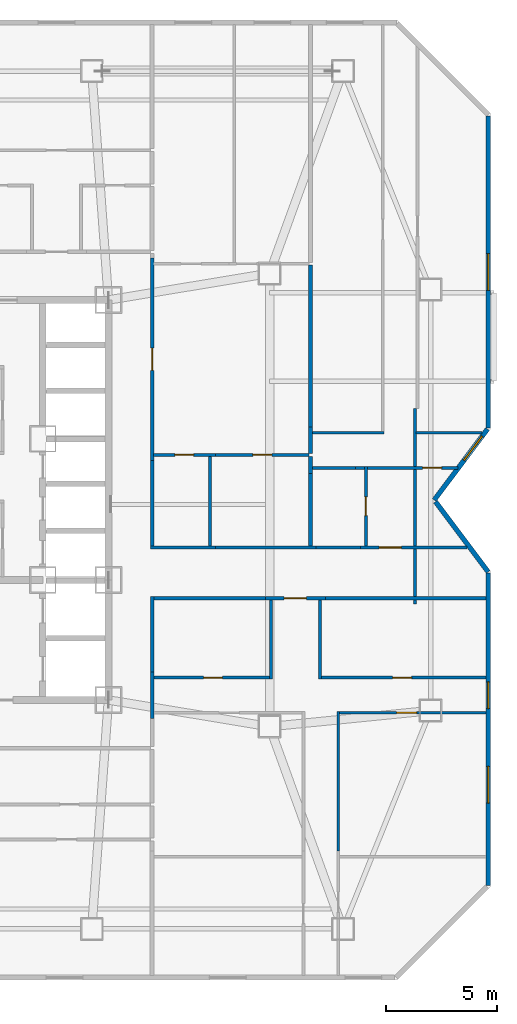
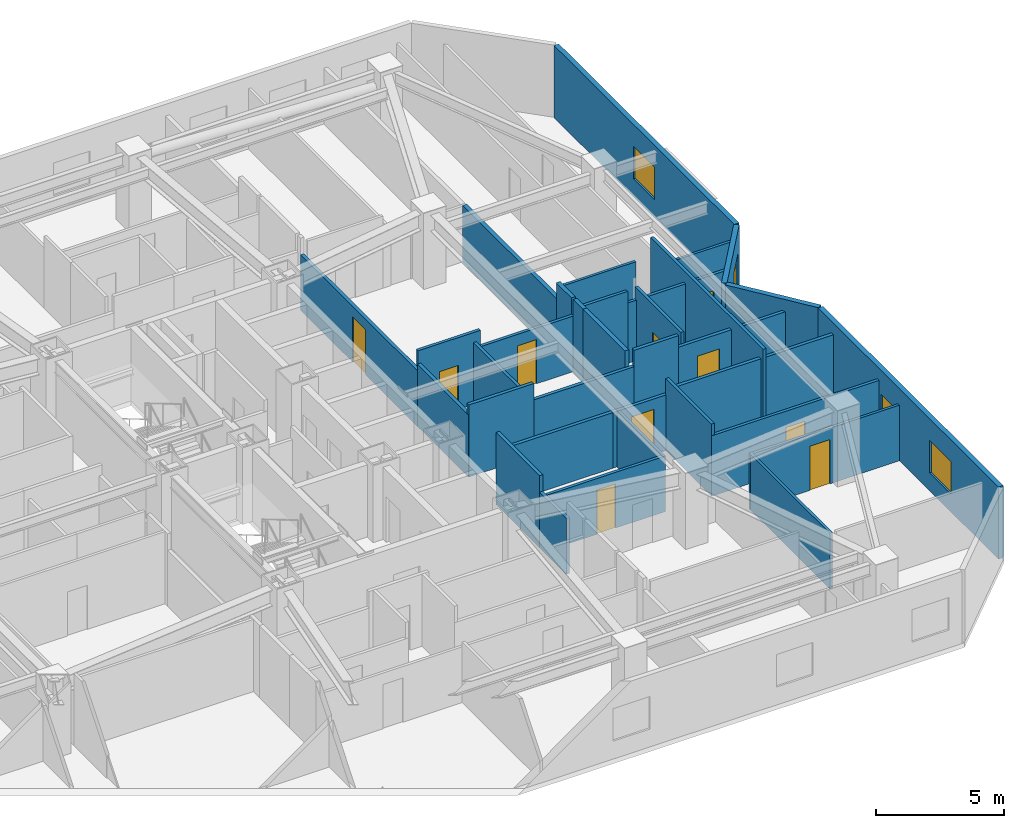
# One storey, part 14 of 17: 34 walls, 10 doors, 4 windows, 14 openings.
"""IFC4 building model written with IfcOpenShell, lengths in metres."""

from ifc_helpers import new_model, si_unit, direction, frame, frame_2d, origin, place, context, subcontext, project, spatial, rectangle, extrude, material, layer, layer_set, type_object, element, fill, save


model = new_model("IFC4")

# Units and contexts
model_context = context("Model", 3, precision=1e-05, world=origin(), true_north=direction((0.0, 1.0)))
body_context = subcontext(model_context, "Body", "Model", "MODEL_VIEW")
ifc_project = project(units=[si_unit("LENGTHUNIT", "METRE"), si_unit("AREAUNIT", "SQUARE_METRE"), si_unit("VOLUMEUNIT", "CUBIC_METRE"), si_unit("PLANEANGLEUNIT", "RADIAN"), si_unit("MASSUNIT", "GRAM", prefix="KILO")], contexts=[model_context])

# Site, building, storey
site_placement = place(None, origin())
site = spatial("IfcSite", under=ifc_project, at=site_placement, CompositionType="ELEMENT")
building_placement = place(site_placement, origin())
building = spatial("IfcBuilding", under=site, at=building_placement, Name="Khamvora Tower", CompositionType="ELEMENT")
storey_placement = place(building_placement, frame((0.0, 0.0, 131.10009765625)))
storey = spatial("IfcBuildingStorey", under=building, at=storey_placement, Name="L33", CompositionType="ELEMENT", Elevation=131.10009765625)

# Wall, opening, door
ifc_material_1 = material(Name="Fire-Rated Drywall and Steel Stud", Category="steel")
ifc_layer_1 = layer(ifc_material_1, 0.14990234375)
ifc_layer_set_1 = layer_set([ifc_layer_1], Name="Fire-Rated Drywall and Steel Stud")
wall_type_1 = type_object("IfcWallType", Name="WAL-CORR-150", PredefinedType="STANDARD", material=ifc_layer_set_1)
wall_1_placement = place(storey_placement, frame((49.158935546875, 23.5849609375, 0.0), z_axis=(0.0, 0.0, 1.0), x_axis=(-1.0, 0.0, 0.0)))
wall_1 = element("IfcWall", 1, at=wall_1_placement, inside=storey, type_object=wall_type_1, Name="L33 interior partition wall 028", PredefinedType="STANDARD", context=body_context, shape_type="SweptSolid", body=[
    extrude(rectangle(XDim=2.697998046875, YDim=0.14990234375, at=frame_2d((1.34912109375, 0.0))), origin(), (0.0, 0.0, 1.0), 2.64697265625),
])
opening_1_placement = place(wall_1_placement, frame((0.84912109375, 0.0, 0.0)))
opening_1 = element("IfcOpeningElement", 2, at=opening_1_placement, cuts=wall_1, Name="Opening D-U1", PredefinedType="OPENING", context=body_context, shape_type="SweptSolid", body=[
    extrude(rectangle(XDim=1.0, YDim=2.14990234375, at=frame_2d((0.5, 1.074951171875))), frame((0.0, 0.0849609375, 0.0), z_axis=(0.0, -1.0, 0.0), x_axis=(1.0, 0.0, 0.0)), (0.0, 0.0, 1.0), 0.169921875),
])
ifc_material_2 = material(Name="Powder-Coated Steel and Hardwood Leaf", Category="steel")
door_type_1 = type_object("IfcDoorType", Name="DOR-UNIT-1000", OperationType="NOTDEFINED", PredefinedType="DOOR", material=ifc_material_2)
door_1_placement = place(opening_1_placement, origin())
door_1 = element("IfcDoor", 3, at=door_1_placement, inside=storey, type_object=door_type_1, Name="L33 interior door COR-33EAH", OperationType="SINGLE_SWING_RIGHT", OverallHeight=2.14990234375, OverallWidth=1.0, PredefinedType="DOOR", context=body_context, shape_type="SweptSolid", body=[
    extrude(rectangle(XDim=1.0, YDim=2.14990234375, at=frame_2d((0.5, 1.074951171875))), frame((0.0, 0.02490234375, 0.0), z_axis=(0.0, -1.0, 0.0), x_axis=(1.0, 0.0, 0.0)), (0.0, 0.0, 1.0), 0.050048828125),
])
fill(opening_1, door_1)

# Walls
wall_2_placement = place(storey_placement, frame((41.364990234375, 20.25390625, 0.0), z_axis=(0.0, 0.0, 1.0), x_axis=(0.0, -1.0, 0.0)))
element("IfcWall", 4, at=wall_2_placement, inside=storey, type_object=wall_type_1, Name="L33 interior partition wall 029", PredefinedType="STANDARD", context=body_context, shape_type="SweptSolid", body=[
    extrude(rectangle(XDim=2.077880859375, YDim=0.14990234375, at=frame_2d((1.0390625, 0.0))), origin(), (0.0, 0.0, 1.0), 2.64697265625),
])
wall_3_placement = place(storey_placement, frame((46.4609375, 23.5849609375, 0.0), z_axis=(0.0, 0.0, 1.0), x_axis=(-1.0, 0.0, 0.0)))
element("IfcWall", 5, at=wall_3_placement, inside=storey, type_object=wall_type_1, Name="L33 interior partition wall 030", PredefinedType="STANDARD", context=body_context, shape_type="SweptSolid", body=[
    extrude(rectangle(XDim=5.160888671875, YDim=0.14990234375, at=frame_2d((2.58056640625, 0.0))), origin(), (0.0, 0.0, 1.0), 2.64697265625),
])
wall_4_placement = place(storey_placement, frame((41.364990234375, 23.64794921875, 0.0), z_axis=(0.0, 0.0, 1.0), x_axis=(0.0, -1.0, 0.0)))
element("IfcWall", 6, at=wall_4_placement, inside=storey, type_object=wall_type_1, Name="L33 interior partition wall 031", PredefinedType="STANDARD", context=body_context, shape_type="SweptSolid", body=[
    extrude(rectangle(XDim=3.39404296875, YDim=0.14990234375, at=frame_2d((1.697021484375, 0.0))), origin(), (0.0, 0.0, 1.0), 3.429931640625),
])
wall_5_placement = place(storey_placement, frame((56.387939453125, 23.5849609375, 0.0), z_axis=(0.0, 0.0, 1.0), x_axis=(-1.0, 0.0, 0.0)))
element("IfcWall", 7, at=wall_5_placement, inside=storey, type_object=wall_type_1, Name="L33 interior partition wall 032", PredefinedType="STANDARD", context=body_context, shape_type="SweptSolid", body=[
    extrude(rectangle(XDim=7.22900390625, YDim=0.14990234375, at=frame_2d((3.614501953125, 0.0))), origin(), (0.0, 0.0, 1.0), 2.8759765625),
])

# Wall, opening, door
wall_6_placement = place(storey_placement, frame((41.364990234375, 38.87890625, 0.0), z_axis=(0.0, 0.0, 1.0), x_axis=(0.0, -1.0, 0.0)))
wall_6 = element("IfcWall", 8, at=wall_6_placement, inside=storey, type_object=wall_type_1, Name="L33 interior partition wall 034", PredefinedType="STANDARD", context=body_context, shape_type="SweptSolid", body=[
    extrude(rectangle(XDim=9.097900390625, YDim=0.14990234375, at=frame_2d((4.548828125, 0.0))), origin(), (0.0, 0.0, 1.0), 2.64697265625),
])
opening_2_placement = place(wall_6_placement, frame((4.049072265625, 0.0, 0.0)))
opening_2 = element("IfcOpeningElement", 9, at=opening_2_placement, cuts=wall_6, Name="Opening D-U1", PredefinedType="OPENING", context=body_context, shape_type="SweptSolid", body=[
    extrude(rectangle(XDim=1.0, YDim=2.14990234375, at=frame_2d((0.5, 1.074951171875))), frame((0.0, 0.0849609375, 0.0), z_axis=(0.0, -1.0, 0.0), x_axis=(1.0, 0.0, 0.0)), (0.0, 0.0, 1.0), 0.169921875),
])
door_2_placement = place(opening_2_placement, origin())
door_2 = element("IfcDoor", 10, at=door_2_placement, inside=storey, type_object=door_type_1, Name="L33 interior door COR-33EBH", OperationType="SINGLE_SWING_LEFT", OverallHeight=2.14990234375, OverallWidth=1.0, PredefinedType="DOOR", context=body_context, shape_type="SweptSolid", body=[
    extrude(rectangle(XDim=1.0, YDim=2.14990234375, at=frame_2d((0.5, 1.074951171875))), frame((0.0, 0.02490234375, 0.0), z_axis=(0.0, -1.0, 0.0), x_axis=(1.0, 0.0, 0.0)), (0.0, 0.0, 1.0), 0.050048828125),
])
fill(opening_2, door_2)

# Walls
wall_7_placement = place(storey_placement, frame((41.364990234375, 29.781005859375, 0.0), z_axis=(0.0, 0.0, 1.0), x_axis=(0.0, -1.0, 0.0)))
element("IfcWall", 11, at=wall_7_placement, inside=storey, type_object=wall_type_1, Name="L33 interior partition wall 035", PredefinedType="STANDARD", context=body_context, shape_type="SweptSolid", body=[
    extrude(rectangle(XDim=3.98095703125, YDim=0.14990234375, at=frame_2d((1.990478515625, 0.0))), origin(), (0.0, 0.0, 1.0), 2.956787109375),
])
wall_8_placement = place(storey_placement, frame((41.300048828125, 25.864990234375, 0.0), z_axis=(0.0, 0.0, 1.0), x_axis=(1.0, 0.0, 0.0)))
element("IfcWall", 12, at=wall_8_placement, inside=storey, type_object=wall_type_1, Name="L33 interior partition wall 036", PredefinedType="STANDARD", context=body_context, shape_type="SweptSolid", body=[
    extrude(rectangle(XDim=2.928955078125, YDim=0.14990234375, at=frame_2d((1.46435546875, 0.0))), origin(), (0.0, 0.0, 1.0), 3.429931640625),
])
wall_9_placement = place(storey_placement, frame((44.22900390625, 25.864990234375, 0.0), z_axis=(0.0, 0.0, 1.0), x_axis=(1.0, 0.0, 0.0)))
element("IfcWall", 13, at=wall_9_placement, inside=storey, type_object=wall_type_1, Name="L33 interior partition wall 037", PredefinedType="STANDARD", context=body_context, shape_type="SweptSolid", body=[
    extrude(rectangle(XDim=4.510009765625, YDim=0.14990234375, at=frame_2d((2.2548828125, 0.0))), origin(), (0.0, 0.0, 1.0), 2.64697265625),
])

# Wall, opening, door
wall_10_placement = place(storey_placement, frame((50.736083984375, 25.864990234375, 0.0), z_axis=(0.0, 0.0, 1.0), x_axis=(1.0, 0.0, 0.0)))
wall_10 = element("IfcWall", 14, at=wall_10_placement, inside=storey, type_object=wall_type_1, Name="L33 interior partition wall 039", PredefinedType="STANDARD", context=body_context, shape_type="SweptSolid", body=[
    extrude(rectangle(XDim=4.7998046875, YDim=0.14990234375, at=frame_2d((2.39990234375, 0.0))), origin(), (0.0, 0.0, 1.0), 2.8759765625),
])
opening_3_placement = place(wall_10_placement, frame((0.84912109375, 0.0, 0.0)))
opening_3 = element("IfcOpeningElement", 15, at=opening_3_placement, cuts=wall_10, Name="Opening D-U1", PredefinedType="OPENING", context=body_context, shape_type="SweptSolid", body=[
    extrude(rectangle(XDim=1.0, YDim=2.14990234375, at=frame_2d((0.5, 1.074951171875))), frame((0.0, 0.0849609375, 0.0), z_axis=(0.0, -1.0, 0.0), x_axis=(1.0, 0.0, 0.0)), (0.0, 0.0, 1.0), 0.169921875),
])
door_3_placement = place(opening_3_placement, origin())
door_3 = element("IfcDoor", 16, at=door_3_placement, inside=storey, type_object=door_type_1, Name="L33 interior door COR-33ECH", OperationType="SINGLE_SWING_RIGHT", OverallHeight=2.14990234375, OverallWidth=1.0, PredefinedType="DOOR", context=body_context, shape_type="SweptSolid", body=[
    extrude(rectangle(XDim=1.0, YDim=2.14990234375, at=frame_2d((0.5, 1.074951171875))), frame((0.0, 0.02490234375, 0.0), z_axis=(0.0, -1.0, 0.0), x_axis=(1.0, 0.0, 0.0)), (0.0, 0.0, 1.0), 0.050048828125),
])
fill(opening_3, door_3)

# Walls
wall_11_placement = place(storey_placement, frame((48.739013671875, 25.864990234375, 0.0), z_axis=(0.0, 0.0, 1.0), x_axis=(1.0, 0.0, 0.0)))
element("IfcWall", 17, at=wall_11_placement, inside=storey, type_object=wall_type_1, Name="L33 interior partition wall 040", PredefinedType="STANDARD", context=body_context, shape_type="SweptSolid", body=[
    extrude(rectangle(XDim=1.9970703125, YDim=0.14990234375, at=frame_2d((0.99853515625, 0.0))), origin(), (0.0, 0.0, 1.0), 3.429931640625),
])
ifc_material_3 = material(Name="Acoustic Double-Stud Fire Wall", Category="gypsum")
ifc_layer_2 = layer(ifc_material_3, 0.179931640625)
ifc_layer_set_2 = layer_set([ifc_layer_2], Name="Acoustic Double-Stud Fire Wall")
wall_type_2 = type_object("IfcWallType", Name="WAL-CORR-180", PredefinedType="STANDARD", material=ifc_layer_set_2)
wall_12_placement = place(storey_placement, frame((48.489990234375, 31.27392578125, 0.0), z_axis=(0.0, 0.0, 1.0), x_axis=(0.0, -1.0, 0.0)))
element("IfcWall", 18, at=wall_12_placement, inside=storey, type_object=wall_type_2, Name="L33 interior partition wall 117", PredefinedType="STANDARD", context=body_context, shape_type="SweptSolid", body=[
    extrude(rectangle(XDim=1.178955078125, YDim=0.179931640625, at=frame_2d((0.58935546875, 0.0))), origin(), (0.0, 0.0, 1.0), 3.429931640625),
])
wall_13_placement = place(storey_placement, frame((48.489990234375, 38.56494140625, 0.0), z_axis=(0.0, 0.0, 1.0), x_axis=(0.0, -1.0, 0.0)))
element("IfcWall", 19, at=wall_13_placement, inside=storey, type_object=wall_type_2, Name="L33 interior partition wall 118", PredefinedType="STANDARD", context=body_context, shape_type="SweptSolid", body=[
    extrude(rectangle(XDim=7.291015625, YDim=0.179931640625, at=frame_2d((3.6455078125, 0.0))), origin(), (0.0, 0.0, 1.0), 2.68701171875),
])
wall_14_placement = place(storey_placement, frame((48.489990234375, 29.965087890625, 0.0), z_axis=(0.0, 0.0, 1.0), x_axis=(0.0, -1.0, 0.0)))
element("IfcWall", 20, at=wall_14_placement, inside=storey, type_object=wall_type_2, Name="L33 interior partition wall 122", PredefinedType="STANDARD", context=body_context, shape_type="SweptSolid", body=[
    extrude(rectangle(XDim=0.76904296875, YDim=0.179931640625, at=frame_2d((0.384521484375, 0.0))), origin(), (0.0, 0.0, 1.0), 3.429931640625),
])
wall_15_placement = place(storey_placement, frame((48.489990234375, 29.196044921875, 0.0), z_axis=(0.0, 0.0, 1.0), x_axis=(0.0, -1.0, 0.0)))
element("IfcWall", 21, at=wall_15_placement, inside=storey, type_object=wall_type_2, Name="L33 interior partition wall 123", PredefinedType="STANDARD", context=body_context, shape_type="SweptSolid", body=[
    extrude(rectangle(XDim=3.26611328125, YDim=0.179931640625, at=frame_2d((1.633056640625, 0.0))), origin(), (0.0, 0.0, 1.0), 3.429931640625),
])

# Wall, opening, window
ifc_material_4 = material(Name="Precast concrete C40/50", Category="concrete")
ifc_layer_3 = layer(ifc_material_4, 0.219970703125)
ifc_layer_set_3 = layer_set([ifc_layer_3], Name="Precast concrete C40/50")
wall_type_3 = type_object("IfcWallType", Name="WAL-EXT-220", PredefinedType="STANDARD", material=ifc_layer_set_3)
wall_16_placement = place(storey_placement, frame((56.489990234375, 45.282958984375, 0.0), z_axis=(0.0, 0.0, 1.0), x_axis=(0.0, -1.0, 0.0)))
wall_16 = element("IfcWall", 22, at=wall_16_placement, inside=storey, type_object=wall_type_3, Name="L33 exterior facade wall 09.1", PredefinedType="STANDARD", context=body_context, shape_type="SweptSolid", body=[
    extrude(rectangle(XDim=14.0458984375, YDim=0.219970703125, at=frame_2d((7.02294921875, 0.0))), origin(), (0.0, 0.0, 1.0), 3.429931640625),
])
opening_4_placement = place(wall_16_placement, frame((6.197998046875, 0.0, 0.85009765625)))
opening_4 = element("IfcOpeningElement", 23, at=opening_4_placement, cuts=wall_16, Name="Opening WN-06", PredefinedType="OPENING", context=body_context, shape_type="SweptSolid", body=[
    extrude(rectangle(XDim=1.64990234375, YDim=1.550048828125, at=frame_2d((0.824951171875, 0.77490234375))), frame((0.0, 0.119873046875, 0.0), z_axis=(0.0, -1.0, 0.0), x_axis=(1.0, 0.0, 0.0)), (0.0, 0.0, 1.0), 0.239990234375),
])
ifc_material_5 = material(Name="Low-E Laminated Double Glazing", Category="glass")
window_type_1 = type_object("IfcWindowType", Name="WIN-VIS-1650x1550", PartitioningType="SINGLE_PANEL", PredefinedType="WINDOW", material=ifc_material_5)
window_1_placement = place(opening_4_placement, origin())
window_1 = element("IfcWindow", 24, at=window_1_placement, inside=storey, type_object=window_type_1, Name="L33 vision window 09.1.01", OverallHeight=1.550048828125, OverallWidth=1.64990234375, PartitioningType="SINGLE_PANEL", PredefinedType="WINDOW", context=body_context, shape_type="SweptSolid", body=[
    extrude(rectangle(XDim=1.64990234375, YDim=1.550048828125, at=frame_2d((0.824951171875, 0.77490234375))), frame((0.0, 0.030029296875, 0.0), z_axis=(0.0, -1.0, 0.0), x_axis=(1.0, 0.0, 0.0)), (0.0, 0.0, 1.0), 0.06005859375),
])
fill(opening_4, window_1)

wall_17_placement = place(storey_placement, frame((56.4560546875, 31.19091796875, 0.0), z_axis=(0.0, 0.0, 1.0), x_axis=(-0.600137081448, -0.799897170561, 0.0)))
wall_17 = element("IfcWall", 25, at=wall_17_placement, inside=storey, type_object=wall_type_3, Name="L33 exterior facade wall 10.1", PredefinedType="STANDARD", context=body_context, shape_type="SweptSolid", body=[
    extrude(rectangle(XDim=3.9892578125, YDim=0.219970703125, at=frame_2d((1.99462890625, 0.0))), origin(), (0.0, 0.0, 1.0), 3.429931640625),
])
opening_5_placement = place(wall_17_placement, frame((0.406982421875, 0.0, 0.85009765625)))
opening_5 = element("IfcOpeningElement", 26, at=opening_5_placement, cuts=wall_17, Name="Opening WN-07", PredefinedType="OPENING", context=body_context, shape_type="SweptSolid", body=[
    extrude(rectangle(XDim=1.35009765625, YDim=1.5, at=frame_2d((0.675048828125, 0.75))), frame((0.0, 0.119873046875, 0.0), z_axis=(0.0, -1.0, 0.0), x_axis=(1.0, 0.0, 0.0)), (0.0, 0.0, 1.0), 0.239990234375),
])
window_type_2 = type_object("IfcWindowType", Name="WIN-VIS-1350x1500", PartitioningType="SINGLE_PANEL", PredefinedType="WINDOW", material=ifc_material_5)
window_2_placement = place(opening_5_placement, origin())
window_2 = element("IfcWindow", 27, at=window_2_placement, inside=storey, type_object=window_type_2, Name="L33 vision window 10.1.01", OverallHeight=1.5, OverallWidth=1.35009765625, PartitioningType="SINGLE_PANEL", PredefinedType="WINDOW", context=body_context, shape_type="SweptSolid", body=[
    extrude(rectangle(XDim=1.35009765625, YDim=1.5, at=frame_2d((0.675048828125, 0.75))), frame((0.0, 0.030029296875, 0.0), z_axis=(0.0, -1.0, 0.0), x_axis=(1.0, 0.0, 0.0)), (0.0, 0.0, 1.0), 0.06005859375),
])
fill(opening_5, window_2)

# Wall
wall_18_placement = place(storey_placement, frame((54.118896484375, 27.924072265625, 0.0), z_axis=(0.0, 0.0, 1.0), x_axis=(0.600039540588, -0.799970343032, 0.0)))
element("IfcWall", 28, at=wall_18_placement, inside=storey, type_object=wall_type_3, Name="L33 exterior facade wall 11.1", PredefinedType="STANDARD", context=body_context, shape_type="SweptSolid", body=[
    extrude(rectangle(XDim=3.95166015625, YDim=0.219970703125, at=frame_2d((1.975830078125, 0.0))), origin(), (0.0, 0.0, 1.0), 3.429931640625),
])

# Wall, openings, windows
wall_19_placement = place(storey_placement, frame((56.489990234375, 24.70703125, 0.0), z_axis=(0.0, 0.0, 1.0), x_axis=(0.0, -1.0, 0.0)))
wall_19 = element("IfcWall", 29, at=wall_19_placement, inside=storey, type_object=wall_type_3, Name="L33 exterior facade wall 12.1", PredefinedType="STANDARD", context=body_context, shape_type="SweptSolid", body=[
    extrude(rectangle(XDim=14.06103515625, YDim=0.219970703125, at=frame_2d((7.030517578125, 0.0))), origin(), (0.0, 0.0, 1.0), 3.429931640625),
])
opening_6_placement = place(wall_19_placement, frame((4.89208984375, 0.0, 0.800048828125)))
opening_6 = element("IfcOpeningElement", 30, at=opening_6_placement, cuts=wall_19, Name="Opening WN-03", PredefinedType="OPENING", context=body_context, shape_type="SweptSolid", body=[
    extrude(rectangle(XDim=1.199951171875, YDim=1.5, at=frame_2d((0.60009765625, 0.75))), frame((0.0, 0.119873046875, 0.0), z_axis=(0.0, -1.0, 0.0), x_axis=(1.0, 0.0, 0.0)), (0.0, 0.0, 1.0), 0.239990234375),
])
opening_7_placement = place(wall_19_placement, frame((8.697021484375, 0.0, 0.85009765625)))
opening_7 = element("IfcOpeningElement", 31, at=opening_7_placement, cuts=wall_19, Name="Opening WN-06", PredefinedType="OPENING", context=body_context, shape_type="SweptSolid", body=[
    extrude(rectangle(XDim=1.64990234375, YDim=1.550048828125, at=frame_2d((0.824951171875, 0.77490234375))), frame((0.0, 0.119873046875, 0.0), z_axis=(0.0, -1.0, 0.0), x_axis=(1.0, 0.0, 0.0)), (0.0, 0.0, 1.0), 0.239990234375),
])
window_type_3 = type_object("IfcWindowType", Name="WIN-VIS-1200x1500", PartitioningType="SINGLE_PANEL", PredefinedType="WINDOW", material=ifc_material_5)
window_3_placement = place(opening_6_placement, origin())
window_3 = element("IfcWindow", 32, at=window_3_placement, inside=storey, type_object=window_type_3, Name="L33 vision window 12.1.01", OverallHeight=1.5, OverallWidth=1.199951171875, PartitioningType="SINGLE_PANEL", PredefinedType="WINDOW", context=body_context, shape_type="SweptSolid", body=[
    extrude(rectangle(XDim=1.199951171875, YDim=1.5, at=frame_2d((0.60009765625, 0.75))), frame((0.0, 0.030029296875, 0.0), z_axis=(0.0, -1.0, 0.0), x_axis=(1.0, 0.0, 0.0)), (0.0, 0.0, 1.0), 0.06005859375),
])
fill(opening_6, window_3)
window_4_placement = place(opening_7_placement, origin())
window_4 = element("IfcWindow", 33, at=window_4_placement, inside=storey, type_object=window_type_1, Name="L33 vision window 12.1.02", OverallHeight=1.550048828125, OverallWidth=1.64990234375, PartitioningType="SINGLE_PANEL", PredefinedType="WINDOW", context=body_context, shape_type="SweptSolid", body=[
    extrude(rectangle(XDim=1.64990234375, YDim=1.550048828125, at=frame_2d((0.824951171875, 0.77490234375))), frame((0.0, 0.030029296875, 0.0), z_axis=(0.0, -1.0, 0.0), x_axis=(1.0, 0.0, 0.0)), (0.0, 0.0, 1.0), 0.06005859375),
])
fill(opening_7, window_4)

# Wall, opening, door
ifc_material_6 = material(Name="Gypsum Plasterboard Partition", Category="gypsum")
ifc_layer_4 = layer(ifc_material_6, 0.1201171875)
ifc_layer_set_4 = layer_set([ifc_layer_4], Name="Gypsum Plasterboard Partition")
wall_type_4 = type_object("IfcWallType", Name="WAL-PART-120", PredefinedType="PARTITIONING", material=ifc_layer_set_4)
wall_20_placement = place(storey_placement, frame((56.387939453125, 18.425048828125, 0.0), z_axis=(0.0, 0.0, 1.0), x_axis=(-1.0, 0.0, 0.0)))
wall_20 = element("IfcWall", 34, at=wall_20_placement, inside=storey, type_object=wall_type_4, Name="L33 interior partition wall 109", PredefinedType="PARTITIONING", context=body_context, shape_type="SweptSolid", body=[
    extrude(rectangle(XDim=6.7080078125, YDim=0.1201171875, at=frame_2d((3.35400390625, 0.0))), origin(), (0.0, 0.0, 1.0), 2.64697265625),
])
opening_8_placement = place(wall_20_placement, frame((3.1220703125, 0.0, 0.0)))
opening_8 = element("IfcOpeningElement", 35, at=opening_8_placement, cuts=wall_20, Name="Opening D-RM1", PredefinedType="OPENING", context=body_context, shape_type="SweptSolid", body=[
    extrude(rectangle(XDim=0.89990234375, YDim=2.10009765625, at=frame_2d((0.449951171875, 1.050048828125))), frame((0.0, 0.070068359375, 0.0), z_axis=(0.0, -1.0, 0.0), x_axis=(1.0, 0.0, 0.0)), (0.0, 0.0, 1.0), 0.14013671875),
])
door_type_2 = type_object("IfcDoorType", Name="DOR-ROOM-900", OperationType="NOTDEFINED", PredefinedType="DOOR", material=ifc_material_2)
door_4_placement = place(opening_8_placement, origin())
door_4 = element("IfcDoor", 36, at=door_4_placement, inside=storey, type_object=door_type_2, Name="L33 interior door 33EAH-33EAR4", OperationType="SINGLE_SWING_RIGHT", OverallHeight=2.10009765625, OverallWidth=0.89990234375, PredefinedType="DOOR", context=body_context, shape_type="SweptSolid", body=[
    extrude(rectangle(XDim=0.89990234375, YDim=2.10009765625, at=frame_2d((0.449951171875, 1.050048828125))), frame((0.0, 0.02490234375, 0.0), z_axis=(0.0, -1.0, 0.0), x_axis=(1.0, 0.0, 0.0)), (0.0, 0.0, 1.0), 0.050048828125),
])
fill(opening_8, door_4)

# Walls
wall_21_placement = place(storey_placement, frame((49.7451171875, 18.489990234375, 0.0), z_axis=(0.0, 0.0, 1.0), x_axis=(0.0, -1.0, 0.0)))
element("IfcWall", 37, at=wall_21_placement, inside=storey, type_object=wall_type_4, Name="L33 interior partition wall 110", PredefinedType="PARTITIONING", context=body_context, shape_type="SweptSolid", body=[
    extrude(rectangle(XDim=6.2958984375, YDim=0.1201171875, at=frame_2d((3.14794921875, 0.0))), origin(), (0.0, 0.0, 1.0), 2.64697265625),
])
wall_22_placement = place(storey_placement, frame((48.572021484375, 31.02490234375, 0.0), z_axis=(0.0, 0.0, 1.0), x_axis=(1.0, 0.0, 0.0)))
element("IfcWall", 38, at=wall_22_placement, inside=storey, type_object=wall_type_4, Name="L33 interior partition wall 128", PredefinedType="PARTITIONING", context=body_context, shape_type="SweptSolid", body=[
    extrude(rectangle(XDim=3.23095703125, YDim=0.1201171875, at=frame_2d((1.615478515625, 0.0))), origin(), (0.0, 0.0, 1.0), 3.429931640625),
])
wall_23_placement = place(storey_placement, frame((53.2451171875, 31.02490234375, 0.0), z_axis=(0.0, 0.0, 1.0), x_axis=(1.0, 0.0, 0.0)))
element("IfcWall", 39, at=wall_23_placement, inside=storey, type_object=wall_type_4, Name="L33 interior partition wall 131", PredefinedType="PARTITIONING", context=body_context, shape_type="SweptSolid", body=[
    extrude(rectangle(XDim=2.974853515625, YDim=0.1201171875, at=frame_2d((1.4873046875, 0.0))), origin(), (0.0, 0.0, 1.0), 2.8759765625),
])

# Wall, opening, door
ifc_material_7 = material(Name="Moisture-Resistant Plasterboard Partition", Category="gypsum")
ifc_layer_5 = layer(ifc_material_7, 0.135009765625)
ifc_layer_set_5 = layer_set([ifc_layer_5], Name="Moisture-Resistant Plasterboard Partition")
wall_type_5 = type_object("IfcWallType", Name="WAL-WET-135", PredefinedType="PARTITIONING", material=ifc_layer_set_5)
wall_24_placement = place(storey_placement, frame((41.431884765625, 20.0048828125, 0.0), z_axis=(0.0, 0.0, 1.0), x_axis=(1.0, 0.0, 0.0)))
wall_24 = element("IfcWall", 40, at=wall_24_placement, inside=storey, type_object=wall_type_5, Name="L33 interior partition wall 101", PredefinedType="PARTITIONING", context=body_context, shape_type="SweptSolid", body=[
    extrude(rectangle(XDim=5.343017578125, YDim=0.135009765625, at=frame_2d((2.67138671875, 0.0))), origin(), (0.0, 0.0, 1.0), 2.64697265625),
])
opening_9_placement = place(wall_24_placement, frame((2.2470703125, 0.0, 0.0)))
opening_9 = element("IfcOpeningElement", 41, at=opening_9_placement, cuts=wall_24, Name="Opening D-WC1", PredefinedType="OPENING", context=body_context, shape_type="SweptSolid", body=[
    extrude(rectangle(XDim=0.85009765625, YDim=2.10009765625, at=frame_2d((0.425048828125, 1.050048828125))), frame((0.0, 0.077392578125, 0.0), z_axis=(0.0, -1.0, 0.0), x_axis=(1.0, 0.0, 0.0)), (0.0, 0.0, 1.0), 0.155029296875),
])
door_type_3 = type_object("IfcDoorType", Name="DOR-WET-850", OperationType="NOTDEFINED", PredefinedType="DOOR", material=ifc_material_2)
door_5_placement = place(opening_9_placement, origin())
door_5 = element("IfcDoor", 42, at=door_5_placement, inside=storey, type_object=door_type_3, Name="L33 interior door 33EAH-33EAB", OperationType="SINGLE_SWING_LEFT", OverallHeight=2.10009765625, OverallWidth=0.85009765625, PredefinedType="DOOR", context=body_context, shape_type="SweptSolid", body=[
    extrude(rectangle(XDim=0.85009765625, YDim=2.10009765625, at=frame_2d((0.425048828125, 1.050048828125))), frame((0.0, 0.02490234375, 0.0), z_axis=(0.0, -1.0, 0.0), x_axis=(1.0, 0.0, 0.0)), (0.0, 0.0, 1.0), 0.050048828125),
])
fill(opening_9, door_5)

# Walls
wall_25_placement = place(storey_placement, frame((46.7099609375, 19.93994140625, 0.0), z_axis=(0.0, 0.0, 1.0), x_axis=(0.0, 1.0, 0.0)))
element("IfcWall", 43, at=wall_25_placement, inside=storey, type_object=wall_type_5, Name="L33 interior partition wall 102", PredefinedType="PARTITIONING", context=body_context, shape_type="SweptSolid", body=[
    extrude(rectangle(XDim=3.580078125, YDim=0.135009765625, at=frame_2d((1.7900390625, 0.0))), origin(), (0.0, 0.0, 1.0), 2.64697265625),
])
wall_26_placement = place(storey_placement, frame((48.909912109375, 23.52001953125, 0.0), z_axis=(0.0, 0.0, 1.0), x_axis=(0.0, -1.0, 0.0)))
element("IfcWall", 44, at=wall_26_placement, inside=storey, type_object=wall_type_5, Name="L33 interior partition wall 103", PredefinedType="PARTITIONING", context=body_context, shape_type="SweptSolid", body=[
    extrude(rectangle(XDim=3.580078125, YDim=0.135009765625, at=frame_2d((1.7900390625, 0.0))), origin(), (0.0, 0.0, 1.0), 3.429931640625),
])

# Wall, opening, door
wall_27_placement = place(storey_placement, frame((48.844970703125, 20.0048828125, 0.0), z_axis=(0.0, 0.0, 1.0), x_axis=(1.0, 0.0, 0.0)))
wall_27 = element("IfcWall", 45, at=wall_27_placement, inside=storey, type_object=wall_type_5, Name="L33 interior partition wall 104", PredefinedType="PARTITIONING", context=body_context, shape_type="SweptSolid", body=[
    extrude(rectangle(XDim=7.54296875, YDim=0.135009765625, at=frame_2d((3.771484375, 0.0))), origin(), (0.0, 0.0, 1.0), 2.8759765625),
])
opening_10_placement = place(wall_27_placement, frame((3.346923828125, 0.0, 0.0)))
opening_10 = element("IfcOpeningElement", 46, at=opening_10_placement, cuts=wall_27, Name="Opening D-RM2", PredefinedType="OPENING", context=body_context, shape_type="SweptSolid", body=[
    extrude(rectangle(XDim=0.85009765625, YDim=2.10009765625, at=frame_2d((0.425048828125, 1.050048828125))), frame((0.0, 0.077392578125, 0.0), z_axis=(0.0, -1.0, 0.0), x_axis=(1.0, 0.0, 0.0)), (0.0, 0.0, 1.0), 0.155029296875),
])
door_type_4 = type_object("IfcDoorType", Name="DOR-ROOM-850", OperationType="NOTDEFINED", PredefinedType="DOOR", material=ifc_material_2)
door_6_placement = place(opening_10_placement, origin())
door_6 = element("IfcDoor", 47, at=door_6_placement, inside=storey, type_object=door_type_4, Name="L33 interior door 33EAH-33EAK", OperationType="SINGLE_SWING_RIGHT", OverallHeight=2.10009765625, OverallWidth=0.85009765625, PredefinedType="DOOR", context=body_context, shape_type="SweptSolid", body=[
    extrude(rectangle(XDim=0.85009765625, YDim=2.10009765625, at=frame_2d((0.425048828125, 1.050048828125))), frame((0.0, 0.02490234375, 0.0), z_axis=(0.0, -1.0, 0.0), x_axis=(1.0, 0.0, 0.0)), (0.0, 0.0, 1.0), 0.050048828125),
])
fill(opening_10, door_6)

wall_28_placement = place(storey_placement, frame((44.22900390625, 30.030029296875, 0.0), z_axis=(0.0, 0.0, 1.0), x_axis=(-1.0, 0.0, 0.0)))
wall_28 = element("IfcWall", 48, at=wall_28_placement, inside=storey, type_object=wall_type_5, Name="L33 interior partition wall 114", PredefinedType="PARTITIONING", context=body_context, shape_type="SweptSolid", body=[
    extrude(rectangle(XDim=2.797119140625, YDim=0.135009765625, at=frame_2d((1.3984375, 0.0))), origin(), (0.0, 0.0, 1.0), 3.429931640625),
])
opening_11_placement = place(wall_28_placement, frame((0.993896484375, 0.0, 0.0)))
opening_11 = element("IfcOpeningElement", 49, at=opening_11_placement, cuts=wall_28, Name="Opening D-WC1", PredefinedType="OPENING", context=body_context, shape_type="SweptSolid", body=[
    extrude(rectangle(XDim=0.85009765625, YDim=2.10009765625, at=frame_2d((0.425048828125, 1.050048828125))), frame((0.0, 0.077392578125, 0.0), z_axis=(0.0, -1.0, 0.0), x_axis=(1.0, 0.0, 0.0)), (0.0, 0.0, 1.0), 0.155029296875),
])
door_7_placement = place(opening_11_placement, origin())
door_7 = element("IfcDoor", 50, at=door_7_placement, inside=storey, type_object=door_type_3, Name="L33 interior door 33EBH-33EBB", OperationType="SINGLE_SWING_RIGHT", OverallHeight=2.10009765625, OverallWidth=0.85009765625, PredefinedType="DOOR", context=body_context, shape_type="SweptSolid", body=[
    extrude(rectangle(XDim=0.85009765625, YDim=2.10009765625, at=frame_2d((0.425048828125, 1.050048828125))), frame((0.0, 0.02490234375, 0.0), z_axis=(0.0, -1.0, 0.0), x_axis=(1.0, 0.0, 0.0)), (0.0, 0.0, 1.0), 0.050048828125),
])
fill(opening_11, door_7)

wall_29_placement = place(storey_placement, frame((48.425048828125, 30.030029296875, 0.0), z_axis=(0.0, 0.0, 1.0), x_axis=(-1.0, 0.0, 0.0)))
wall_29 = element("IfcWall", 51, at=wall_29_placement, inside=storey, type_object=wall_type_5, Name="L33 interior partition wall 115", PredefinedType="PARTITIONING", context=body_context, shape_type="SweptSolid", body=[
    extrude(rectangle(XDim=4.196044921875, YDim=0.135009765625, at=frame_2d((2.09814453125, 0.0))), origin(), (0.0, 0.0, 1.0), 2.64697265625),
])
opening_12_placement = place(wall_29_placement, frame((1.673095703125, 0.0, 0.0)))
opening_12 = element("IfcOpeningElement", 52, at=opening_12_placement, cuts=wall_29, Name="Opening D-RM2", PredefinedType="OPENING", context=body_context, shape_type="SweptSolid", body=[
    extrude(rectangle(XDim=0.85009765625, YDim=2.10009765625, at=frame_2d((0.425048828125, 1.050048828125))), frame((0.0, 0.077392578125, 0.0), z_axis=(0.0, -1.0, 0.0), x_axis=(1.0, 0.0, 0.0)), (0.0, 0.0, 1.0), 0.155029296875),
])
door_8_placement = place(opening_12_placement, origin())
door_8 = element("IfcDoor", 53, at=door_8_placement, inside=storey, type_object=door_type_4, Name="L33 interior door 33EBH-33EBK", OperationType="SINGLE_SWING_LEFT", OverallHeight=2.10009765625, OverallWidth=0.85009765625, PredefinedType="DOOR", context=body_context, shape_type="SweptSolid", body=[
    extrude(rectangle(XDim=0.85009765625, YDim=2.10009765625, at=frame_2d((0.425048828125, 1.050048828125))), frame((0.0, 0.02490234375, 0.0), z_axis=(0.0, -1.0, 0.0), x_axis=(1.0, 0.0, 0.0)), (0.0, 0.0, 1.0), 0.050048828125),
])
fill(opening_12, door_8)

# Wall
wall_30_placement = place(storey_placement, frame((43.97998046875, 29.968994140625, 0.0), z_axis=(0.0, 0.0, 1.0), x_axis=(0.0, -1.0, 0.0)))
element("IfcWall", 54, at=wall_30_placement, inside=storey, type_object=wall_type_5, Name="L33 interior partition wall 121", PredefinedType="PARTITIONING", context=body_context, shape_type="SweptSolid", body=[
    extrude(rectangle(XDim=4.0390625, YDim=0.135009765625, at=frame_2d((2.01953125, 0.0))), origin(), (0.0, 0.0, 1.0), 2.956787109375),
])

# Wall, opening, door
wall_31_placement = place(storey_placement, frame((55.132080078125, 29.445068359375, 0.0), z_axis=(0.0, 0.0, 1.0), x_axis=(-1.0, 0.0, 0.0)))
wall_31 = element("IfcWall", 55, at=wall_31_placement, inside=storey, type_object=wall_type_5, Name="L33 interior partition wall 124", PredefinedType="PARTITIONING", context=body_context, shape_type="SweptSolid", body=[
    extrude(rectangle(XDim=4.612060546875, YDim=0.135009765625, at=frame_2d((2.30615234375, 0.0))), origin(), (0.0, 0.0, 1.0), 2.8759765625),
])
opening_13_placement = place(wall_31_placement, frame((0.742919921875, 0.0, 0.0)))
opening_13 = element("IfcOpeningElement", 56, at=opening_13_placement, cuts=wall_31, Name="Opening D-WC1", PredefinedType="OPENING", context=body_context, shape_type="SweptSolid", body=[
    extrude(rectangle(XDim=0.85009765625, YDim=2.10009765625, at=frame_2d((0.425048828125, 1.050048828125))), frame((0.0, 0.077392578125, 0.0), z_axis=(0.0, -1.0, 0.0), x_axis=(1.0, 0.0, 0.0)), (0.0, 0.0, 1.0), 0.155029296875),
])
door_9_placement = place(opening_13_placement, origin())
door_9 = element("IfcDoor", 57, at=door_9_placement, inside=storey, type_object=door_type_3, Name="L33 interior door 33ECH-33ECB", OperationType="SINGLE_SWING_LEFT", OverallHeight=2.10009765625, OverallWidth=0.85009765625, PredefinedType="DOOR", context=body_context, shape_type="SweptSolid", body=[
    extrude(rectangle(XDim=0.85009765625, YDim=2.10009765625, at=frame_2d((0.425048828125, 1.050048828125))), frame((0.0, 0.02490234375, 0.0), z_axis=(0.0, -1.0, 0.0), x_axis=(1.0, 0.0, 0.0)), (0.0, 0.0, 1.0), 0.050048828125),
])
fill(opening_13, door_9)

# Wall
wall_32_placement = place(storey_placement, frame((53.18505859375, 32.110107421875, 0.0), z_axis=(0.0, 0.0, 1.0), x_axis=(0.0, -1.0, 0.0)))
element("IfcWall", 58, at=wall_32_placement, inside=storey, type_object=wall_type_5, Name="L33 interior partition wall 125", PredefinedType="PARTITIONING", context=body_context, shape_type="SweptSolid", body=[
    extrude(rectangle(XDim=8.780029296875, YDim=0.135009765625, at=frame_2d((4.39013671875, 0.0))), origin(), (0.0, 0.0, 1.0), 3.429931640625),
])

# Wall, opening, door
wall_33_placement = place(storey_placement, frame((50.985107421875, 25.929931640625, 0.0), z_axis=(0.0, 0.0, 1.0), x_axis=(0.0, 1.0, 0.0)))
wall_33 = element("IfcWall", 59, at=wall_33_placement, inside=storey, type_object=wall_type_5, Name="L33 interior partition wall 126", PredefinedType="PARTITIONING", context=body_context, shape_type="SweptSolid", body=[
    extrude(rectangle(XDim=3.580078125, YDim=0.135009765625, at=frame_2d((1.7900390625, 0.0))), origin(), (0.0, 0.0, 1.0), 3.429931640625),
])
opening_14_placement = place(wall_33_placement, frame((1.364990234375, 0.0, 0.0)))
opening_14 = element("IfcOpeningElement", 60, at=opening_14_placement, cuts=wall_33, Name="Opening D-RM2", PredefinedType="OPENING", context=body_context, shape_type="SweptSolid", body=[
    extrude(rectangle(XDim=0.85009765625, YDim=2.10009765625, at=frame_2d((0.425048828125, 1.050048828125))), frame((0.0, 0.077392578125, 0.0), z_axis=(0.0, -1.0, 0.0), x_axis=(1.0, 0.0, 0.0)), (0.0, 0.0, 1.0), 0.155029296875),
])
door_10_placement = place(opening_14_placement, origin())
door_10 = element("IfcDoor", 61, at=door_10_placement, inside=storey, type_object=door_type_4, Name="L33 interior door 33ECH-33ECK", OperationType="SINGLE_SWING_RIGHT", OverallHeight=2.10009765625, OverallWidth=0.85009765625, PredefinedType="DOOR", context=body_context, shape_type="SweptSolid", body=[
    extrude(rectangle(XDim=0.85009765625, YDim=2.10009765625, at=frame_2d((0.425048828125, 1.050048828125))), frame((0.0, 0.02490234375, 0.0), z_axis=(0.0, -1.0, 0.0), x_axis=(1.0, 0.0, 0.0)), (0.0, 0.0, 1.0), 0.050048828125),
])
fill(opening_14, door_10)

# Wall
wall_34_placement = place(storey_placement, frame((50.52001953125, 29.445068359375, 0.0), z_axis=(0.0, 0.0, 1.0), x_axis=(-1.0, 0.0, 0.0)))
element("IfcWall", 62, at=wall_34_placement, inside=storey, type_object=wall_type_5, Name="L33 interior partition wall 127", PredefinedType="PARTITIONING", context=body_context, shape_type="SweptSolid", body=[
    extrude(rectangle(XDim=1.947998046875, YDim=0.135009765625, at=frame_2d((0.97412109375, 0.0))), origin(), (0.0, 0.0, 1.0), 3.429931640625),
])

save(model, "model.ifc")
